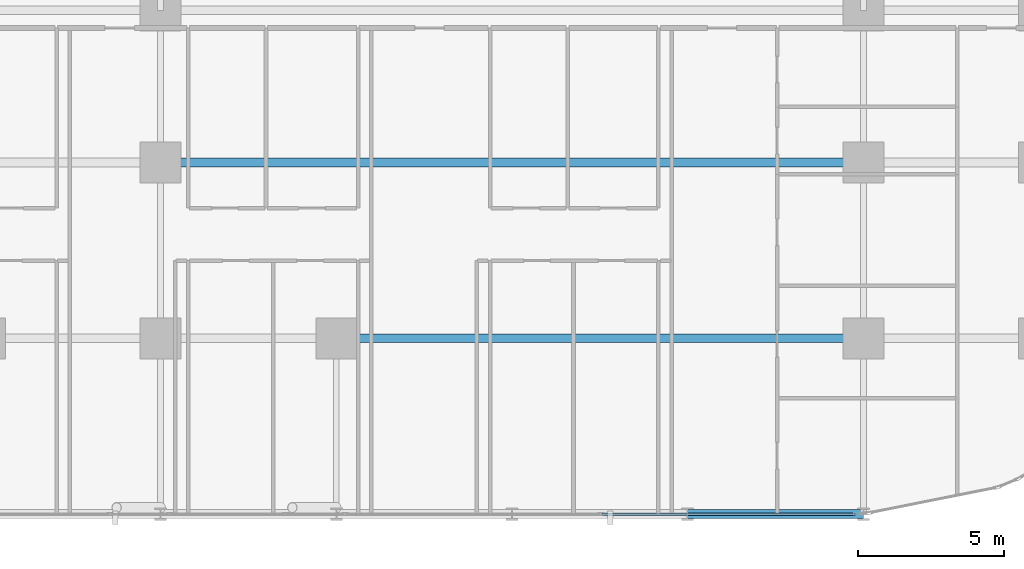
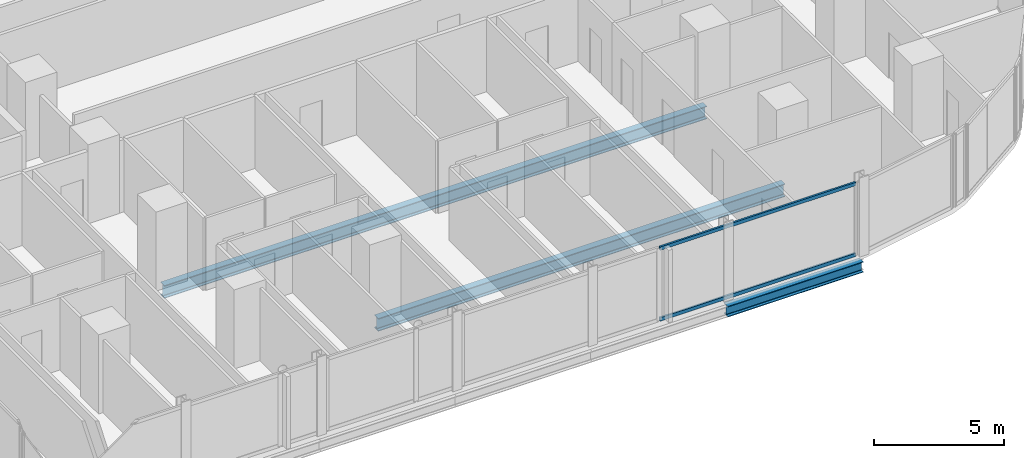
# One storey, part 8 of 34: 3 beams, 2 members, 1 element without a shape of its own.
"""IFC4 building model written with IfcOpenShell, lengths in metres."""

from ifc_helpers import new_model, si_unit, direction, frame, origin, origin_2d, place, context, subcontext, project, spatial, hollow_rectangle, i_section, extrude, material, layer, layer_set, material_profile, profile_set, type_object, element, aggregate, save


model = new_model("IFC4")

# Units and contexts
model_context = context("Model", 3, precision=1e-05, world=origin(), true_north=direction((0.0, 1.0)))
body_context = subcontext(model_context, "Body", "Model", "MODEL_VIEW")
ifc_project = project(units=[si_unit("LENGTHUNIT", "METRE"), si_unit("AREAUNIT", "SQUARE_METRE"), si_unit("VOLUMEUNIT", "CUBIC_METRE"), si_unit("PLANEANGLEUNIT", "RADIAN"), si_unit("MASSUNIT", "GRAM", prefix="KILO")], contexts=[model_context])

# Site, building, storey
site_placement = place(None, origin())
site = spatial("IfcSite", under=ifc_project, at=site_placement, CompositionType="ELEMENT")
building_placement = place(site_placement, origin())
building = spatial("IfcBuilding", under=site, at=building_placement, Name="Keshet Zoharim Tower", CompositionType="ELEMENT")
storey_placement = place(building_placement, frame((0.0, 0.0, 31.39990234375)))
storey = spatial("IfcBuildingStorey", under=building, at=storey_placement, Name="L06", CompositionType="ELEMENT", Elevation=31.39990234375)

# Beams
ifc_material_1 = material(Name="Steel S355", Category="steel")
ifc_material_profile_1 = material_profile(ifc_material_1, i_section(OverallWidth=0.300048828125, OverallDepth=0.60009765625, WebThickness=0.015380859375, FlangeThickness=0.030029296875, FilletRadius=0.027099609375, at=origin_2d()), Name="HEB600")
ifc_profile_set_1 = profile_set([ifc_material_profile_1], Name="Steel S355")
beam_type_1 = type_object("IfcBeamType", Name="BM-LNG-HB600", PredefinedType="BEAM", material=ifc_profile_set_1)
beam_1_placement = place(storey_placement, frame((39.0, 6.699951171875, -0.614990234375), z_axis=(1.0, 0.0, 0.0), x_axis=(0.0, 1.0, 0.0)))
element("IfcBeam", 1, at=beam_1_placement, inside=storey, type_object=beam_type_1, Name="L06 Primary Girder X-009", PredefinedType="BEAM", context=body_context, shape_type="SweptSolid", body=[
    extrude(i_section(OverallWidth=0.300048828125, OverallDepth=0.60009765625, WebThickness=0.015380859375, FlangeThickness=0.030029296875, FilletRadius=0.027099609375, at=origin_2d()), origin(), (0.0, 0.0, 1.0), 18.0),
])
beam_2_placement = place(storey_placement, frame((33.0, 12.699951171875, -0.614990234375), z_axis=(1.0, 0.0, 0.0), x_axis=(0.0, 1.0, 0.0)))
element("IfcBeam", 2, at=beam_2_placement, inside=storey, type_object=beam_type_1, Name="L06 Primary Girder X-012", PredefinedType="BEAM", context=body_context, shape_type="SweptSolid", body=[
    extrude(i_section(OverallWidth=0.300048828125, OverallDepth=0.60009765625, WebThickness=0.015380859375, FlangeThickness=0.030029296875, FilletRadius=0.027099609375, at=origin_2d()), origin(), (0.0, 0.0, 1.0), 24.0),
])
ifc_material_profile_2 = material_profile(ifc_material_1, i_section(OverallWidth=0.300048828125, OverallDepth=0.5, WebThickness=0.014404296875, FlangeThickness=0.028076171875, FilletRadius=0.027099609375, at=origin_2d()), Name="HEB500")
ifc_profile_set_2 = profile_set([ifc_material_profile_2], Name="Steel S355")
beam_type_2 = type_object("IfcBeamType", Name="BM-WEB-HB500", PredefinedType="BEAM", material=ifc_profile_set_2)
beam_3_placement = place(storey_placement, frame((51.0, 0.699951171875, -0.56494140625), z_axis=(1.0, 0.0, 0.0), x_axis=(0.0, 1.0, 0.0)))
element("IfcBeam", 3, at=beam_3_placement, inside=storey, type_object=beam_type_2, Name="L06 Primary Girder X-005", PredefinedType="BEAM", context=body_context, shape_type="SweptSolid", body=[
    extrude(i_section(OverallWidth=0.300048828125, OverallDepth=0.5, WebThickness=0.014404296875, FlangeThickness=0.028076171875, FilletRadius=0.027099609375, at=origin_2d()), origin(), (0.0, 0.0, 1.0), 6.0),
])

# Curtain wall, members
ifc_material_2 = material(Name="Aluminium 6063-T6", Category="aluminium")
ifc_layer = layer(ifc_material_2, 0.179931640625)
ifc_layer_set = layer_set([ifc_layer], Name="Aluminium 6063-T6")
curtain_wall_type = type_object("IfcCurtainWallType", Name="CW-SYS-01", PredefinedType="NOTDEFINED", material=ifc_layer_set)
curtain_wall_placement = place(storey_placement, origin())
curtain_wall = element("IfcCurtainWall", 4, at=curtain_wall_placement, inside=storey, type_object=curtain_wall_type, Name="L06 Unitised Curtain Wall 26", PredefinedType="NOTDEFINED")
ifc_material_profile_3 = material_profile(ifc_material_2, hollow_rectangle(XDim=0.0849609375, YDim=0.159912109375, WallThickness=0.00439453125, at=origin_2d()), Name="TRN-85x160")
ifc_profile_set_3 = profile_set([ifc_material_profile_3], Name="Aluminium 6063-T6")
member_type = type_object("IfcMemberType", Name="CWT-T16", PredefinedType="USERDEFINED", material=ifc_profile_set_3)
member_1_placement = place(storey_placement, frame((56.73291015625, 0.699951171875, 0.03515625), z_axis=(-1.0, 0.0, 0.0), x_axis=(0.0, -1.0, 0.0)))
member_1 = element("IfcMember", 5, at=member_1_placement, type_object=member_type, Name="CW-01 transom 1.1", ObjectType="TRANSOM", PredefinedType="USERDEFINED", context=body_context, shape_type="SweptSolid", body=[
    extrude(hollow_rectangle(XDim=0.0849609375, YDim=0.159912109375, WallThickness=0.00439453125, at=origin_2d()), origin(), (0.0, 0.0, 1.0), 8.6650390625),
])
member_2_placement = place(storey_placement, frame((56.73291015625, 0.699951171875, 3.35009765625), z_axis=(-1.0, 0.0, 0.0), x_axis=(0.0, -1.0, 0.0)))
member_2 = element("IfcMember", 6, at=member_2_placement, type_object=member_type, Name="CW-01 transom 1.2", ObjectType="TRANSOM", PredefinedType="USERDEFINED", context=body_context, shape_type="SweptSolid", body=[
    extrude(hollow_rectangle(XDim=0.0849609375, YDim=0.159912109375, WallThickness=0.00439453125, at=origin_2d()), origin(), (0.0, 0.0, 1.0), 8.6650390625),
])
aggregate(curtain_wall, [member_1, member_2])

save(model, "model.ifc")
